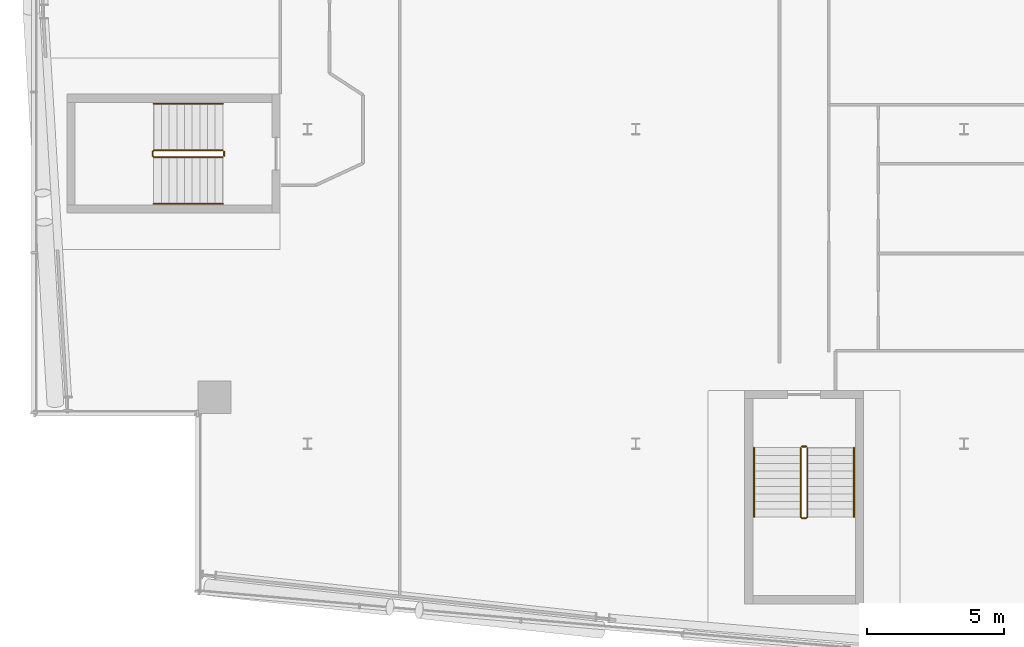
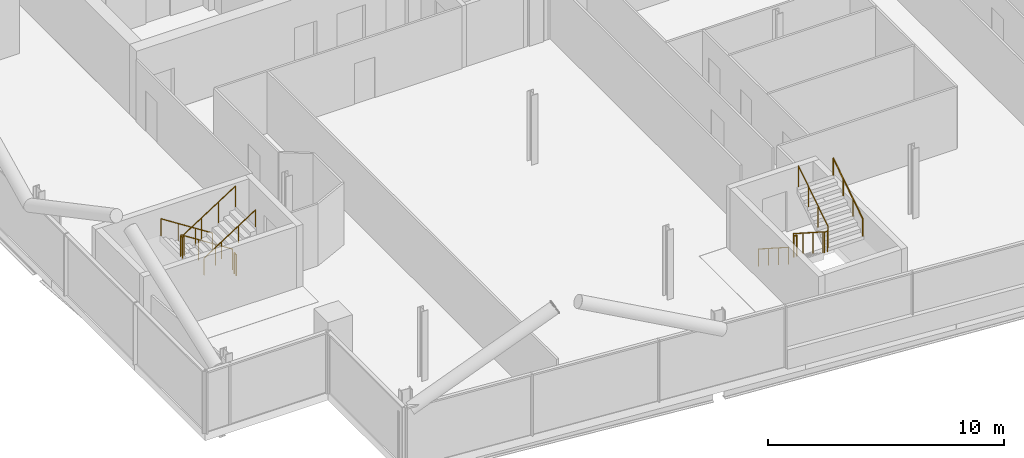
# One storey, part 23 of 25: 8 railings.
"""IFC4 building model written with IfcOpenShell, lengths in metres."""

from ifc_helpers import new_model, si_unit, direction, frame, origin, origin_2d, place, context, subcontext, project, spatial, circle, extrude, material, type_object, element, save


model = new_model("IFC4")

# Units and contexts
model_context = context("Model", 3, precision=1e-05, world=origin(), true_north=direction((0.0, 1.0)))
body_context = subcontext(model_context, "Body", "Model", "MODEL_VIEW")
ifc_project = project(units=[si_unit("LENGTHUNIT", "METRE"), si_unit("AREAUNIT", "SQUARE_METRE"), si_unit("VOLUMEUNIT", "CUBIC_METRE"), si_unit("PLANEANGLEUNIT", "RADIAN"), si_unit("MASSUNIT", "GRAM", prefix="KILO")], contexts=[model_context])

# Site, building, storey
site_placement = place(None, origin())
site = spatial("IfcSite", under=ifc_project, at=site_placement, CompositionType="ELEMENT")
building_placement = place(site_placement, origin())
building = spatial("IfcBuilding", under=site, at=building_placement, Name="Wharfspan Tower", CompositionType="ELEMENT")
storey_placement = place(building_placement, frame((0.0, 0.0, 232.300049)))
storey = spatial("IfcBuildingStorey", under=building, at=storey_placement, Name="L58", CompositionType="ELEMENT", Elevation=232.300049)

# Railings
ifc_material = material(Name="Steel S355J2", Category="steel")
railing_type_1 = type_object("IfcRailingType", Name="Stair guard 1100", PredefinedType="GUARDRAIL", material=ifc_material)
railing_1_placement = place(storey_placement, frame((20.899902, 22.225098, 0.179932)))
element("IfcRailing", 1, at=railing_1_placement, inside=storey, type_object=railing_type_1, Name="L58 ST3 stair guard 1", PredefinedType="GUARDRAIL", context=body_context, shape_type="SweptSolid", body=[
    extrude(circle(Radius=0.023926, at=origin_2d()), frame((0.0, 0.0, 1.076172), z_axis=(-0.841163, 0.0, 0.540782), x_axis=(0.0, -1.0, 0.0)), (0.0, 0.0, 1.0), 2.99585),
    extrude(circle(Radius=0.023926, at=origin_2d()), frame((-2.52002, 0.0, 2.696289), z_axis=(-0.705376, -0.708834, 0.0), x_axis=(0.708834, -0.705376, 0.0)), (0.0, 0.0, 1.0), 0.070557),
    extrude(circle(Radius=0.023926, at=origin_2d()), frame((-2.569824, -0.050049, 2.696289), z_axis=(0.0, -1.0, 0.0), x_axis=(1.0, 0.0, 0.0)), (0.0, 0.0, 1.0), 0.150146),
    extrude(circle(Radius=0.023926, at=origin_2d()), frame((-2.569824, -0.200195, 2.696289), z_axis=(0.257753, -0.257753, 0.931196), x_axis=(0.707107, 0.707107, 0.0)), (0.0, 0.0, 1.0), 0.193115),
    extrude(circle(Radius=0.023926, at=origin_2d()), frame((-2.52002, -0.25, 2.875977), z_axis=(0.8412, 0.0, 0.540725), x_axis=(0.0, 1.0, 0.0)), (0.0, 0.0, 1.0), 2.99585),
    extrude(circle(Radius=0.020996, at=origin_2d()), origin(), (0.0, 0.0, 1.0), 1.052002),
    extrude(circle(Radius=0.020996, at=origin_2d()), frame((-0.840088, 0.0, 0.540039)), (0.0, 0.0, 1.0), 1.052002),
    extrude(circle(Radius=0.020996, at=origin_2d()), frame((-1.679932, 0.0, 1.080078)), (0.0, 0.0, 1.0), 1.052002),
    extrude(circle(Radius=0.020996, at=origin_2d()), frame((-2.52002, 0.0, 1.620117)), (0.0, 0.0, 1.0), 1.052002),
    extrude(circle(Radius=0.020996, at=origin_2d()), frame((-2.569824, -0.050049, 1.620117)), (0.0, 0.0, 1.0), 1.052002),
    extrude(circle(Radius=0.020996, at=origin_2d()), frame((-2.569824, -0.200195, 1.620117)), (0.0, 0.0, 1.0), 1.052002),
    extrude(circle(Radius=0.020996, at=origin_2d()), frame((-2.52002, -0.25, 1.800049)), (0.0, 0.0, 1.0), 1.052002),
    extrude(circle(Radius=0.020996, at=origin_2d()), frame((-1.679932, -0.25, 2.340088)), (0.0, 0.0, 1.0), 1.052002),
    extrude(circle(Radius=0.020996, at=origin_2d()), frame((-0.840088, -0.25, 2.879883)), (0.0, 0.0, 1.0), 1.052002),
    extrude(circle(Radius=0.020996, at=origin_2d()), frame((0.0, -0.25, 3.419922)), (0.0, 0.0, 1.0), 1.052002),
])
railing_2_placement = place(storey_placement, frame((20.949951, 22.175049, 0.0)))
element("IfcRailing", 2, at=railing_2_placement, inside=storey, type_object=railing_type_1, Name="L58 ST3 stair guard 2", PredefinedType="GUARDRAIL", context=body_context, shape_type="SweptSolid", body=[
    extrude(circle(Radius=0.023926, at=origin_2d()), frame((0.0, 0.0, 1.076172), z_axis=(0.0, -1.0, 0.0), x_axis=(1.0, 0.0, 0.0)), (0.0, 0.0, 1.0), 0.150146),
    extrude(circle(Radius=0.020996, at=origin_2d()), origin(), (0.0, 0.0, 1.0), 1.052002),
    extrude(circle(Radius=0.020996, at=origin_2d()), frame((0.0, -0.150146, 0.0)), (0.0, 0.0, 1.0), 1.052002),
])
railing_3_placement = place(storey_placement, frame((42.0271, 11.343262, 0.179932)))
element("IfcRailing", 3, at=railing_3_placement, inside=storey, type_object=railing_type_1, Name="L58 ST4 stair guard 1", PredefinedType="GUARDRAIL", context=body_context, shape_type="SweptSolid", body=[
    extrude(circle(Radius=0.023926, at=origin_2d()), frame((0.0, 0.0, 1.076172), z_axis=(0.0, -0.841163, 0.540782), x_axis=(1.0, 0.0, 0.0)), (0.0, 0.0, 1.0), 2.99585),
    extrude(circle(Radius=0.023926, at=origin_2d()), frame((0.0, -2.52002, 2.696289), z_axis=(0.707107, -0.707107, 0.0), x_axis=(0.707107, 0.707107, 0.0)), (0.0, 0.0, 1.0), 0.070801),
    extrude(circle(Radius=0.023926, at=origin_2d()), frame((0.050049, -2.570068, 2.696289), z_axis=(1.0, 0.0, 0.0), x_axis=(0.0, 1.0, 0.0)), (0.0, 0.0, 1.0), 0.149902),
    extrude(circle(Radius=0.023926, at=origin_2d()), frame((0.199951, -2.570068, 2.696289), z_axis=(0.258848, 0.258848, 0.930589), x_axis=(-0.707107, 0.707107, 0.0)), (0.0, 0.0, 1.0), 0.193359),
    extrude(circle(Radius=0.023926, at=origin_2d()), frame((0.25, -2.52002, 2.875977), z_axis=(0.0, 0.8412, 0.540725), x_axis=(-1.0, 0.0, 0.0)), (0.0, 0.0, 1.0), 2.99585),
    extrude(circle(Radius=0.020996, at=origin_2d()), origin(), (0.0, 0.0, 1.0), 1.052002),
    extrude(circle(Radius=0.020996, at=origin_2d()), frame((0.0, -0.840088, 0.540039)), (0.0, 0.0, 1.0), 1.052002),
    extrude(circle(Radius=0.020996, at=origin_2d()), frame((0.0, -1.679932, 1.080078)), (0.0, 0.0, 1.0), 1.052002),
    extrude(circle(Radius=0.020996, at=origin_2d()), frame((0.0, -2.52002, 1.620117)), (0.0, 0.0, 1.0), 1.052002),
    extrude(circle(Radius=0.020996, at=origin_2d()), frame((0.050049, -2.570068, 1.620117)), (0.0, 0.0, 1.0), 1.052002),
    extrude(circle(Radius=0.020996, at=origin_2d()), frame((0.199951, -2.570068, 1.620117)), (0.0, 0.0, 1.0), 1.052002),
    extrude(circle(Radius=0.020996, at=origin_2d()), frame((0.25, -2.52002, 1.800049)), (0.0, 0.0, 1.0), 1.052002),
    extrude(circle(Radius=0.020996, at=origin_2d()), frame((0.25, -1.679932, 2.340088)), (0.0, 0.0, 1.0), 1.052002),
    extrude(circle(Radius=0.020996, at=origin_2d()), frame((0.25, -0.840088, 2.879883)), (0.0, 0.0, 1.0), 1.052002),
    extrude(circle(Radius=0.020996, at=origin_2d()), frame((0.25, 0.0, 3.419922)), (0.0, 0.0, 1.0), 1.052002),
])
railing_4_placement = place(storey_placement, frame((42.077148, 11.393311, 0.0)))
element("IfcRailing", 4, at=railing_4_placement, inside=storey, type_object=railing_type_1, Name="L58 ST4 stair guard 2", PredefinedType="GUARDRAIL", context=body_context, shape_type="SweptSolid", body=[
    extrude(circle(Radius=0.023926, at=origin_2d()), frame((0.0, 0.0, 1.076172), z_axis=(1.0, 0.0, 0.0), x_axis=(0.0, 1.0, 0.0)), (0.0, 0.0, 1.0), 0.149902),
    extrude(circle(Radius=0.020996, at=origin_2d()), origin(), (0.0, 0.0, 1.0), 1.052002),
    extrude(circle(Radius=0.020996, at=origin_2d()), frame((0.149902, 0.0, 0.0)), (0.0, 0.0, 1.0), 1.052002),
])
railing_type_2 = type_object("IfcRailingType", Name="Stair handrail 900", PredefinedType="HANDRAIL", material=ifc_material)
railing_5_placement = place(storey_placement, frame((20.899902, 23.925049, 0.179932)))
element("IfcRailing", 5, at=railing_5_placement, inside=storey, type_object=railing_type_2, Name="L58 ST3 stair handrail 1", PredefinedType="HANDRAIL", context=body_context, shape_type="SweptSolid", body=[
    extrude(circle(Radius=0.023926, at=origin_2d()), frame((0.0, 0.0, 0.875977), z_axis=(-0.841163, 0.0, 0.540782), x_axis=(0.0, -1.0, 0.0)), (0.0, 0.0, 1.0), 2.99585),
    extrude(circle(Radius=0.020996, at=origin_2d()), origin(), (0.0, 0.0, 1.0), 0.851807),
    extrude(circle(Radius=0.020996, at=origin_2d()), frame((-0.840088, 0.0, 0.540039)), (0.0, 0.0, 1.0), 0.851807),
    extrude(circle(Radius=0.020996, at=origin_2d()), frame((-1.679932, 0.0, 1.080078)), (0.0, 0.0, 1.0), 0.851807),
    extrude(circle(Radius=0.020996, at=origin_2d()), frame((-2.52002, 0.0, 1.620117)), (0.0, 0.0, 1.0), 0.851807),
])
railing_6_placement = place(storey_placement, frame((18.379883, 20.274902, 1.97998)))
element("IfcRailing", 6, at=railing_6_placement, inside=storey, type_object=railing_type_2, Name="L58 ST3 stair handrail 2", PredefinedType="HANDRAIL", context=body_context, shape_type="SweptSolid", body=[
    extrude(circle(Radius=0.023926, at=origin_2d()), frame((0.0, 0.0, 0.875977), z_axis=(0.8412, 0.0, 0.540725), x_axis=(0.0, 1.0, 0.0)), (0.0, 0.0, 1.0), 2.99585),
    extrude(circle(Radius=0.020996, at=origin_2d()), origin(), (0.0, 0.0, 1.0), 0.851807),
    extrude(circle(Radius=0.020996, at=origin_2d()), frame((0.840088, 0.0, 0.540039)), (0.0, 0.0, 1.0), 0.851807),
    extrude(circle(Radius=0.020996, at=origin_2d()), frame((1.679932, 0.0, 1.079834)), (0.0, 0.0, 1.0), 0.851807),
    extrude(circle(Radius=0.020996, at=origin_2d()), frame((2.52002, 0.0, 1.619873)), (0.0, 0.0, 1.0), 0.851807),
])
railing_7_placement = place(storey_placement, frame((40.327148, 11.343262, 0.179932)))
element("IfcRailing", 7, at=railing_7_placement, inside=storey, type_object=railing_type_2, Name="L58 ST4 stair handrail 1", PredefinedType="HANDRAIL", context=body_context, shape_type="SweptSolid", body=[
    extrude(circle(Radius=0.023926, at=origin_2d()), frame((0.0, 0.0, 0.875977), z_axis=(0.0, -0.841163, 0.540782), x_axis=(1.0, 0.0, 0.0)), (0.0, 0.0, 1.0), 2.99585),
    extrude(circle(Radius=0.020996, at=origin_2d()), origin(), (0.0, 0.0, 1.0), 0.851807),
    extrude(circle(Radius=0.020996, at=origin_2d()), frame((0.0, -0.840088, 0.540039)), (0.0, 0.0, 1.0), 0.851807),
    extrude(circle(Radius=0.020996, at=origin_2d()), frame((0.0, -1.679932, 1.080078)), (0.0, 0.0, 1.0), 0.851807),
    extrude(circle(Radius=0.020996, at=origin_2d()), frame((0.0, -2.52002, 1.620117)), (0.0, 0.0, 1.0), 0.851807),
])
railing_8_placement = place(storey_placement, frame((43.977051, 8.823242, 1.97998)))
element("IfcRailing", 8, at=railing_8_placement, inside=storey, type_object=railing_type_2, Name="L58 ST4 stair handrail 2", PredefinedType="HANDRAIL", context=body_context, shape_type="SweptSolid", body=[
    extrude(circle(Radius=0.023926, at=origin_2d()), frame((0.0, 0.0, 0.875977), z_axis=(0.0, 0.8412, 0.540725), x_axis=(-1.0, 0.0, 0.0)), (0.0, 0.0, 1.0), 2.99585),
    extrude(circle(Radius=0.020996, at=origin_2d()), origin(), (0.0, 0.0, 1.0), 0.851807),
    extrude(circle(Radius=0.020996, at=origin_2d()), frame((0.0, 0.840088, 0.540039)), (0.0, 0.0, 1.0), 0.851807),
    extrude(circle(Radius=0.020996, at=origin_2d()), frame((0.0, 1.679932, 1.079834)), (0.0, 0.0, 1.0), 0.851807),
    extrude(circle(Radius=0.020996, at=origin_2d()), frame((0.0, 2.52002, 1.619873)), (0.0, 0.0, 1.0), 0.851807),
])

save(model, "model.ifc")
